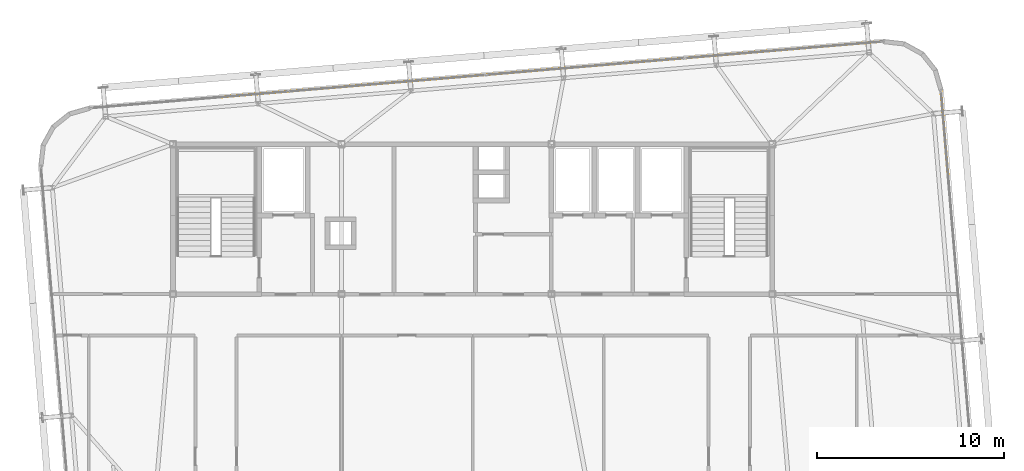
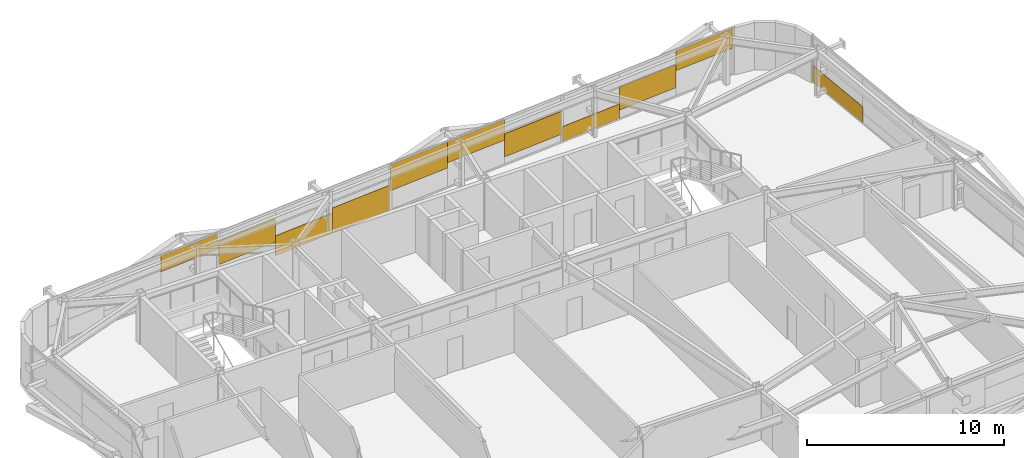
# One storey, part 37 of 37: 11 coverings.
"""IFC4 building model written with IfcOpenShell, lengths in metres."""

from ifc_helpers import new_model, si_unit, direction, frame, origin, origin_2d, place, context, subcontext, project, spatial, rectangle, extrude, source, transform, mapped, material, layer, layer_set, type_object, element, save


model = new_model("IFC4")

# Units and contexts
model_context = context("Model", 3, precision=1e-05, world=origin(), true_north=direction((0.0, 1.0)))
body_context = subcontext(model_context, "Body", "Model", "MODEL_VIEW")
ifc_project = project(units=[si_unit("LENGTHUNIT", "METRE"), si_unit("AREAUNIT", "SQUARE_METRE"), si_unit("VOLUMEUNIT", "CUBIC_METRE"), si_unit("PLANEANGLEUNIT", "RADIAN"), si_unit("MASSUNIT", "GRAM", prefix="KILO")], contexts=[model_context])

# Site, building, storey
site_placement = place(None, origin())
site = spatial("IfcSite", under=ifc_project, at=site_placement, CompositionType="ELEMENT")
building_placement = place(site_placement, origin())
building = spatial("IfcBuilding", under=site, at=building_placement, Name="Taldren Reach Tower", CompositionType="ELEMENT")
storey_placement = place(building_placement, frame((0.0, 0.0, 172.550048828125)))
storey = spatial("IfcBuildingStorey", under=building, at=storey_placement, Name="L52", CompositionType="ELEMENT", Elevation=172.550048828125)

# Coverings
ifc_material = material(Name="Pale Champagne Fluoropolymer Aluminium Spandrel Cladding", Category="aluminium")
ifc_layer = layer(ifc_material, 0.0439453125)
ifc_layer_set = layer_set([ifc_layer], Name="Pale Champagne Fluoropolymer Aluminium Spandrel Cladding")
covering_type = type_object("IfcCoveringType", Name="CV-CLAD-044", PredefinedType="CLADDING", material=ifc_layer_set)
shared_shape_1 = source(origin(), body_context, "Body", "SweptSolid", [
    extrude(rectangle(XDim=3.506591796875, YDim=0.0439453125, at=origin_2d()), origin(), (0.0, 0.0, 1.0), 1.42724609375),
])
covering_1_placement = place(storey_placement, frame((51.603515625, 37.03515625, 0.590576171875), z_axis=(0.0, 0.0, 1.0), x_axis=(-0.99649285657, -0.083677875247, 0.0)))
element("IfcCovering", 1, at=covering_1_placement, inside=storey, type_object=covering_type, Name="Diagrid closure cladding strip CW-5 panel 1.1 2", PredefinedType="CLADDING", context=body_context, shape_type="MappedRepresentation", body=[
    mapped(shared_shape_1, transform((0.0, 0.0, 0.0), scale=1.0)),
])
shared_shape_2 = source(origin(), body_context, "Body", "SweptSolid", [
    extrude(rectangle(XDim=3.506591796875, YDim=0.0439453125, at=origin_2d()), origin(), (0.0, 0.0, 1.0), 0.976318359375),
])
covering_2_placement = place(storey_placement, frame((23.36962890625, 34.664306640625, 1.8935546875), z_axis=(0.0, 0.0, 1.0), x_axis=(-0.99649285657, -0.083677875247, 0.0)))
element("IfcCovering", 2, at=covering_2_placement, inside=storey, type_object=covering_type, Name="Diagrid closure cladding strip CW-5 panel 4.1 1", PredefinedType="CLADDING", context=body_context, shape_type="MappedRepresentation", body=[
    mapped(shared_shape_2, transform((0.0, 0.0, 0.0), scale=1.0)),
])
shared_shape_3 = source(origin(), body_context, "Body", "SweptSolid", [
    extrude(rectangle(XDim=3.518310546875, YDim=0.0439453125, at=origin_2d()), origin(), (0.0, 0.0, 1.0), 1.4306640625),
])
for number, where, z_axis, x_axis, name in (
    (3, (44.539306640625, 36.44189453125, 0.5263671875), (0.0, 0.0, 1.0), (-0.99649285657, -0.083677875247, 0.0), "Diagrid closure cladding strip CW-5 panel 2.1 1"),
    (4, (26.939453125, 34.964111328125, 0.912841796875), (0.0, 0.0, 1.0), (-0.99649285657, -0.083677875247, 0.0), "Diagrid closure cladding strip CW-5 panel 3.1 3"),
):
    element("IfcCovering", number, at=place(storey_placement, frame(where, z_axis=z_axis, x_axis=x_axis)), inside=storey, type_object=covering_type, Name=name, PredefinedType="CLADDING", context=body_context, shape_type="MappedRepresentation", body=[
        mapped(shared_shape_3, transform((0.0, 0.0, 0.0), scale=1.0)),
    ])
shared_shape_4 = source(origin(), body_context, "Body", "SweptSolid", [
    extrude(rectangle(XDim=3.518310546875, YDim=0.0439453125, at=origin_2d()), origin(), (0.0, 0.0, 1.0), 1.238525390625),
])
covering_3_placement = place(storey_placement, frame((30.445556640625, 35.258544921875, 0.06005859375), z_axis=(0.0, 0.0, 1.0), x_axis=(-0.99649285657, -0.083677875247, 0.0)))
element("IfcCovering", 5, at=covering_3_placement, inside=storey, type_object=covering_type, Name="Diagrid closure cladding strip CW-5 panel 3.1 2", PredefinedType="CLADDING", context=body_context, shape_type="MappedRepresentation", body=[
    mapped(shared_shape_4, transform((0.0, 0.0, 0.0), scale=1.0)),
])
shared_shape_5 = source(origin(), body_context, "Body", "SweptSolid", [
    extrude(rectangle(XDim=3.518310546875, YDim=0.0439453125, at=origin_2d()), origin(), (0.0, 0.0, 1.0), 1.557373046875),
])
covering_4_placement = place(storey_placement, frame((33.951416015625, 35.552734375, 0.06005859375), z_axis=(0.0, 0.0, 1.0), x_axis=(-0.99649285657, -0.083677875247, 0.0)))
element("IfcCovering", 6, at=covering_4_placement, inside=storey, type_object=covering_type, Name="Diagrid closure cladding strip CW-5 panel 3.1 1", PredefinedType="CLADDING", context=body_context, shape_type="MappedRepresentation", body=[
    mapped(shared_shape_5, transform((0.0, 0.0, 0.0), scale=1.0)),
])
shared_shape_6 = source(origin(), body_context, "Body", "SweptSolid", [
    extrude(rectangle(XDim=3.518310546875, YDim=0.0439453125, at=origin_2d()), origin(), (0.0, 0.0, 1.0), 1.617431640625),
])
covering_5_placement = place(storey_placement, frame((37.52734375, 35.85302734375, 1.25244140625), z_axis=(0.0, 0.0, 1.0), x_axis=(-0.99649285657, -0.083677875247, 0.0)))
element("IfcCovering", 7, at=covering_5_placement, inside=storey, type_object=covering_type, Name="Diagrid closure cladding strip CW-5 panel 2.1 3", PredefinedType="CLADDING", context=body_context, shape_type="MappedRepresentation", body=[
    mapped(shared_shape_6, transform((0.0, 0.0, 0.0), scale=1.0)),
])
shared_shape_7 = source(origin(), body_context, "Body", "SweptSolid", [
    extrude(rectangle(XDim=3.518310546875, YDim=0.0439453125, at=origin_2d()), origin(), (0.0, 0.0, 1.0), 1.298583984375),
])
covering_6_placement = place(storey_placement, frame((41.033203125, 36.1474609375, 1.5712890625), z_axis=(0.0, 0.0, 1.0), x_axis=(-0.99649285657, -0.083677875247, 0.0)))
element("IfcCovering", 8, at=covering_6_placement, inside=storey, type_object=covering_type, Name="Diagrid closure cladding strip CW-5 panel 2.1 2", PredefinedType="CLADDING", context=body_context, shape_type="MappedRepresentation", body=[
    mapped(shared_shape_7, transform((0.0, 0.0, 0.0), scale=1.0)),
])
shared_shape_8 = source(origin(), body_context, "Body", "SweptSolid", [
    extrude(rectangle(XDim=3.506591796875, YDim=0.0439453125, at=origin_2d()), origin(), (0.0, 0.0, 1.0), 0.916259765625),
])
covering_7_placement = place(storey_placement, frame((48.109130859375, 36.74169921875, 0.06005859375), z_axis=(0.0, 0.0, 1.0), x_axis=(-0.99649285657, -0.083677875247, 0.0)))
element("IfcCovering", 9, at=covering_7_placement, inside=storey, type_object=covering_type, Name="Diagrid closure cladding strip CW-5 panel 1.1 3", PredefinedType="CLADDING", context=body_context, shape_type="MappedRepresentation", body=[
    mapped(shared_shape_8, transform((0.0, 0.0, 0.0), scale=1.0)),
])
shared_shape_9 = source(origin(), body_context, "Body", "SweptSolid", [
    extrude(rectangle(XDim=3.506591796875, YDim=0.0439453125, at=origin_2d()), origin(), (0.0, 0.0, 1.0), 1.237548828125),
])
covering_8_placement = place(storey_placement, frame((55.097900390625, 37.32861328125, 1.63232421875), z_axis=(0.0, 0.0, 1.0), x_axis=(-0.99649285657, -0.083677875247, 0.0)))
element("IfcCovering", 10, at=covering_8_placement, inside=storey, type_object=covering_type, Name="Diagrid closure cladding strip CW-5 panel 1.1 1", PredefinedType="CLADDING", context=body_context, shape_type="MappedRepresentation", body=[
    mapped(shared_shape_9, transform((0.0, 0.0, 0.0), scale=1.0)),
])
shared_shape_10 = source(origin(), body_context, "Body", "SweptSolid", [
    extrude(rectangle(XDim=4.431640625, YDim=0.0439453125, at=origin_2d()), origin(), (0.0, 0.0, 1.0), 1.006103515625),
])
covering_9_placement = place(storey_placement, frame((60.1953125, 32.5927734375, 0.06005859375), z_axis=(0.0, 0.0, 1.0), x_axis=(-0.083677979808, 0.996492847789, 0.0)))
element("IfcCovering", 11, at=covering_9_placement, inside=storey, type_object=covering_type, Name="Diagrid closure cladding strip CW-5 panel 2.1 3", PredefinedType="CLADDING", context=body_context, shape_type="MappedRepresentation", body=[
    mapped(shared_shape_10, transform((0.0, 0.0, 0.0), scale=1.0)),
])

save(model, "model.ifc")
